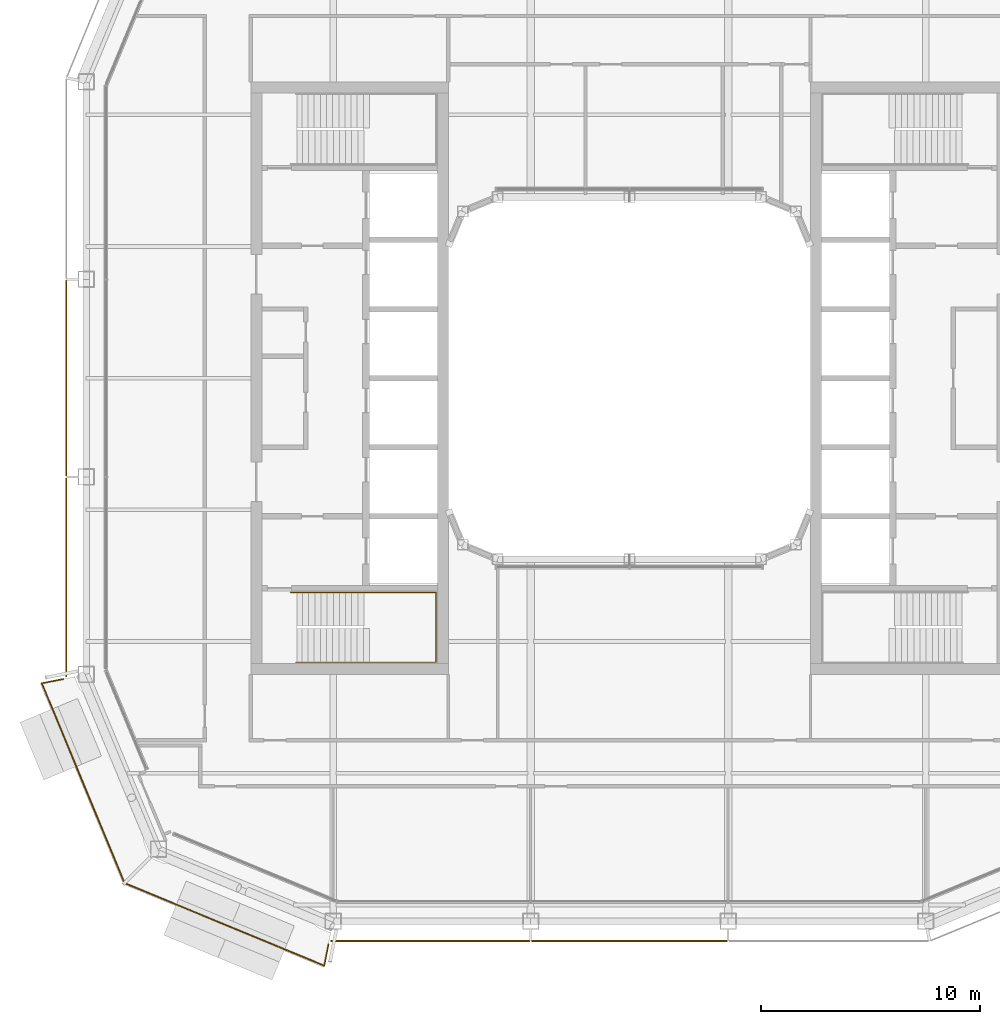
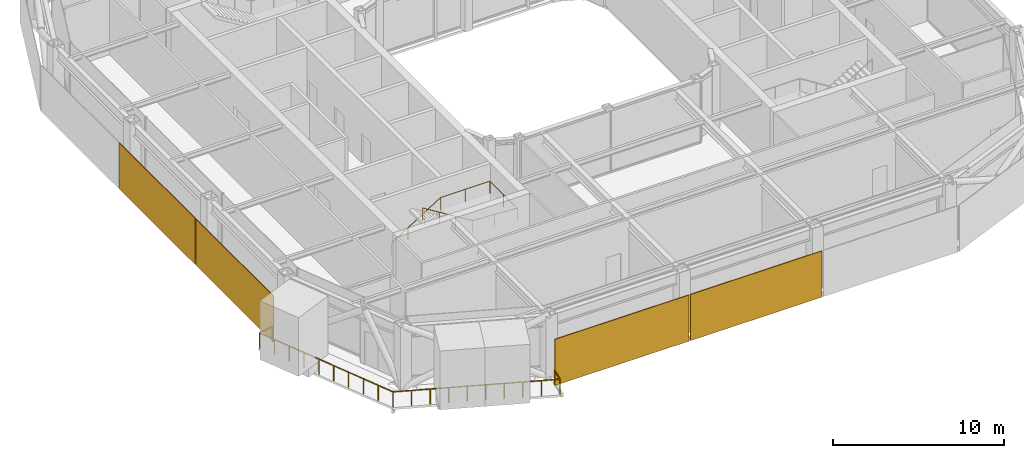
# One storey, part 16 of 20: 4 coverings, 2 railings.
"""IFC4 building model written with IfcOpenShell, lengths in metres."""

from ifc_helpers import new_model, si_unit, direction, frame, origin, origin_2d, place, context, subcontext, project, spatial, rectangle, circle, extrude, material, layer, layer_set, type_object, element, save


model = new_model("IFC4")

# Units and contexts
model_context = context("Model", 3, precision=1e-05, world=origin(), true_north=direction((0.0, 1.0)))
body_context = subcontext(model_context, "Body", "Model", "MODEL_VIEW")
ifc_project = project(units=[si_unit("LENGTHUNIT", "METRE"), si_unit("AREAUNIT", "SQUARE_METRE"), si_unit("VOLUMEUNIT", "CUBIC_METRE"), si_unit("PLANEANGLEUNIT", "RADIAN"), si_unit("MASSUNIT", "GRAM", prefix="KILO")], contexts=[model_context])

# Site, building, storey
site_placement = place(None, origin())
site = spatial("IfcSite", under=ifc_project, at=site_placement, CompositionType="ELEMENT")
building_placement = place(site_placement, origin())
building = spatial("IfcBuilding", under=site, at=building_placement, Name="Siwar Civic Tower", CompositionType="ELEMENT")
storey_placement = place(building_placement, frame((0.0, 0.0, 298.699951171875)))
storey = spatial("IfcBuildingStorey", under=building, at=storey_placement, Name="L64", CompositionType="ELEMENT", Elevation=298.699951171875)

# Railings
ifc_material_1 = material(Name="Stainless steel", Category="steel")
railing_type_1 = type_object("IfcRailingType", Name="CORE-STAIR-HANDRAIL", PredefinedType="HANDRAIL", material=ifc_material_1)
railing_1_placement = place(storey_placement, frame((-15.449951171875, -9.758056640625, 0.173095703125)))
element("IfcRailing", 1, at=railing_1_placement, inside=storey, type_object=railing_type_1, Name="Stair handrail ST2", PredefinedType="HANDRAIL", context=body_context, shape_type="SweptSolid", body=[
    extrude(circle(Radius=0.02001953125, at=origin_2d()), frame((0.0, 0.0, 0.8798828125), z_axis=(0.847063342986, 0.0, 0.531491950051), x_axis=(0.0, 1.0, 0.0)), (0.0, 0.0, 1.0), 3.90771484375),
    extrude(circle(Radius=0.02001953125, at=origin_2d()), frame((3.31005859375, 0.0, 2.956787109375), z_axis=(1.0, 0.0, 0.0), x_axis=(0.0, 1.0, 0.0)), (0.0, 0.0, 1.0), 3.331787109375),
    extrude(circle(Radius=0.02001953125, at=origin_2d()), frame((6.641845703125, 0.0, 2.956787109375), z_axis=(0.0, -1.0, 0.0), x_axis=(1.0, 0.0, 0.0)), (0.0, 0.0, 1.0), 3.183837890625),
    extrude(circle(Radius=0.02001953125, at=origin_2d()), frame((6.641845703125, -3.183837890625, 2.956787109375), z_axis=(-0.99837434197, 0.0, 0.056997134106), x_axis=(0.0, -1.0, 0.0)), (0.0, 0.0, 1.0), 3.036865234375),
    extrude(circle(Radius=0.02001953125, at=origin_2d()), frame((3.60986328125, -3.183837890625, 3.1298828125), z_axis=(-0.850606129759, 0.0, 0.525803396734), x_axis=(0.0, -1.0, 0.0)), (0.0, 0.0, 1.0), 3.949951171875),
    extrude(circle(Radius=0.02001953125, at=origin_2d()), origin(), (0.0, 0.0, 1.0), 0.85986328125),
    extrude(circle(Radius=0.02001953125, at=origin_2d()), frame((1.103271484375, 0.0, 0.6923828125)), (0.0, 0.0, 1.0), 0.85986328125),
    extrude(circle(Radius=0.02001953125, at=origin_2d()), frame((2.206787109375, 0.0, 1.384521484375)), (0.0, 0.0, 1.0), 0.85986328125),
    extrude(circle(Radius=0.02001953125, at=origin_2d()), frame((3.31005859375, 0.0, 2.076904296875)), (0.0, 0.0, 1.0), 0.85986328125),
    extrude(circle(Radius=0.02001953125, at=origin_2d()), frame((4.97607421875, 0.0, 2.076904296875)), (0.0, 0.0, 1.0), 0.85986328125),
    extrude(circle(Radius=0.02001953125, at=origin_2d()), frame((6.641845703125, 0.0, 2.076904296875)), (0.0, 0.0, 1.0), 0.85986328125),
    extrude(circle(Radius=0.02001953125, at=origin_2d()), frame((6.641845703125, -1.591796875, 2.076904296875)), (0.0, 0.0, 1.0), 0.85986328125),
    extrude(circle(Radius=0.02001953125, at=origin_2d()), frame((6.641845703125, -3.183837890625, 2.076904296875)), (0.0, 0.0, 1.0), 0.85986328125),
    extrude(circle(Radius=0.02001953125, at=origin_2d()), frame((5.1259765625, -3.183837890625, 2.16357421875)), (0.0, 0.0, 1.0), 0.85986328125),
    extrude(circle(Radius=0.02001953125, at=origin_2d()), frame((3.60986328125, -3.183837890625, 2.25)), (0.0, 0.0, 1.0), 0.85986328125),
    extrude(circle(Radius=0.02001953125, at=origin_2d()), frame((2.489990234375, -3.183837890625, 2.9423828125)), (0.0, 0.0, 1.0), 0.85986328125),
    extrude(circle(Radius=0.02001953125, at=origin_2d()), frame((1.369873046875, -3.183837890625, 3.634521484375)), (0.0, 0.0, 1.0), 0.85986328125),
    extrude(circle(Radius=0.02001953125, at=origin_2d()), frame((0.25, -3.183837890625, 4.326904296875)), (0.0, 0.0, 1.0), 0.85986328125),
])
ifc_material_2 = material(Name="Stainless steel 316", Category="steel")
railing_type_2 = type_object("IfcRailingType", Name="ENV-GUARD", PredefinedType="GUARDRAIL", material=ifc_material_2)
railing_2_placement = place(storey_placement, frame((-25.797119140625, -13.708251953125, 0.0)))
element("IfcRailing", 2, at=railing_2_placement, inside=storey, type_object=railing_type_2, Name="Balcony guard SW", PredefinedType="GUARDRAIL", context=body_context, shape_type="SweptSolid", body=[
    extrude(circle(Radius=0.02392578125, at=origin_2d()), frame((0.0, 0.0, 1.076171875), z_axis=(-0.980778661911, -0.195123592472, 0.0), x_axis=(0.195123592472, -0.980778661911, 0.0)), (0.0, 0.0, 1.0), 0.993408203125),
    extrude(circle(Radius=0.02392578125, at=origin_2d()), frame((-0.974365234375, -0.19384765625, 1.076171875), z_axis=(0.38225621169, -0.924056377406, 0.0), x_axis=(0.924056377406, 0.38225621169, 0.0)), (0.0, 0.0, 1.0), 9.851806640625),
    extrude(circle(Radius=0.02392578125, at=origin_2d()), frame((2.79150390625, -9.29736328125, 1.076171875), z_axis=(0.924056377406, -0.38225621169, 0.0), x_axis=(0.38225621169, 0.924056377406, 0.0)), (0.0, 0.0, 1.0), 9.851806640625),
    extrude(circle(Radius=0.02392578125, at=origin_2d()), frame((11.89501953125, -13.063232421875, 1.076171875), z_axis=(0.195123592472, 0.980778661911, 0.0), x_axis=(-0.980778661911, 0.195123592472, 0.0)), (0.0, 0.0, 1.0), 0.993408203125),
    extrude(circle(Radius=0.02099609375, at=origin_2d()), origin(), (0.0, 0.0, 1.0), 1.052001953125),
    extrude(circle(Radius=0.02099609375, at=origin_2d()), frame((-0.974365234375, -0.19384765625, 0.0)), (0.0, 0.0, 1.0), 1.052001953125),
    extrude(circle(Radius=0.02099609375, at=origin_2d()), frame((-0.555908203125, -1.205322265625, 0.0)), (0.0, 0.0, 1.0), 1.052001953125),
    extrude(circle(Radius=0.02099609375, at=origin_2d()), frame((-0.137451171875, -2.216796875, 0.0)), (0.0, 0.0, 1.0), 1.052001953125),
    extrude(circle(Radius=0.02099609375, at=origin_2d()), frame((0.281005859375, -3.228271484375, 0.0)), (0.0, 0.0, 1.0), 1.052001953125),
    extrude(circle(Radius=0.02099609375, at=origin_2d()), frame((0.699462890625, -4.23974609375, 0.0)), (0.0, 0.0, 1.0), 1.052001953125),
    extrude(circle(Radius=0.02099609375, at=origin_2d()), frame((1.11767578125, -5.25146484375, 0.0)), (0.0, 0.0, 1.0), 1.052001953125),
    extrude(circle(Radius=0.02099609375, at=origin_2d()), frame((1.5361328125, -6.262939453125, 0.0)), (0.0, 0.0, 1.0), 1.052001953125),
    extrude(circle(Radius=0.02099609375, at=origin_2d()), frame((1.95458984375, -7.2744140625, 0.0)), (0.0, 0.0, 1.0), 1.052001953125),
    extrude(circle(Radius=0.02099609375, at=origin_2d()), frame((2.373046875, -8.285888671875, 0.0)), (0.0, 0.0, 1.0), 1.052001953125),
    extrude(circle(Radius=0.02099609375, at=origin_2d()), frame((2.79150390625, -9.29736328125, 0.0)), (0.0, 0.0, 1.0), 1.052001953125),
    extrude(circle(Radius=0.02099609375, at=origin_2d()), frame((3.802978515625, -9.7158203125, 0.0)), (0.0, 0.0, 1.0), 1.052001953125),
    extrude(circle(Radius=0.02099609375, at=origin_2d()), frame((4.814453125, -10.13427734375, 0.0)), (0.0, 0.0, 1.0), 1.052001953125),
    extrude(circle(Radius=0.02099609375, at=origin_2d()), frame((5.825927734375, -10.552734375, 0.0)), (0.0, 0.0, 1.0), 1.052001953125),
    extrude(circle(Radius=0.02099609375, at=origin_2d()), frame((6.83740234375, -10.97119140625, 0.0)), (0.0, 0.0, 1.0), 1.052001953125),
    extrude(circle(Radius=0.02099609375, at=origin_2d()), frame((7.84912109375, -11.389404296875, 0.0)), (0.0, 0.0, 1.0), 1.052001953125),
    extrude(circle(Radius=0.02099609375, at=origin_2d()), frame((8.860595703125, -11.807861328125, 0.0)), (0.0, 0.0, 1.0), 1.052001953125),
    extrude(circle(Radius=0.02099609375, at=origin_2d()), frame((9.8720703125, -12.226318359375, 0.0)), (0.0, 0.0, 1.0), 1.052001953125),
    extrude(circle(Radius=0.02099609375, at=origin_2d()), frame((10.883544921875, -12.644775390625, 0.0)), (0.0, 0.0, 1.0), 1.052001953125),
    extrude(circle(Radius=0.02099609375, at=origin_2d()), frame((11.89501953125, -13.063232421875, 0.0)), (0.0, 0.0, 1.0), 1.052001953125),
    extrude(circle(Radius=0.02099609375, at=origin_2d()), frame((12.0888671875, -12.0888671875, 0.0)), (0.0, 0.0, 1.0), 1.052001953125),
])

# Coverings
ifc_material_3 = material(Name="Perforated aluminium cassette, pale metal", Category="aluminium")
ifc_layer_1 = layer(ifc_material_3, 0.050048828125)
ifc_layer_set_1 = layer_set([ifc_layer_1], Name="Perforated aluminium cassette, pale metal")
covering_type_1 = type_object("IfcCoveringType", Name="ENV-OUTER SKIN OS-3", PredefinedType="CLADDING", material=ifc_layer_set_1)
covering_1_placement = place(storey_placement, frame((-25.64990234375, 0.0, -0.14990234375), z_axis=(0.0, 0.0, 1.0), x_axis=(0.0, -1.0, 0.0)))
element("IfcCovering", 3, at=covering_1_placement, inside=storey, type_object=covering_type_1, Name="OUTER SKIN OS-3 W 2", PredefinedType="CLADDING", context=body_context, shape_type="SweptSolid", body=[
    extrude(rectangle(XDim=8.89990234375, YDim=0.050048828125, at=origin_2d()), origin(), (0.0, 0.0, 1.0), 3.300048828125),
])
covering_2_placement = place(storey_placement, frame((-25.64990234375, -9.07958984375, -0.14990234375), z_axis=(0.0, 0.0, 1.0), x_axis=(0.0, -1.0, 0.0)))
element("IfcCovering", 4, at=covering_2_placement, inside=storey, type_object=covering_type_1, Name="OUTER SKIN OS-3 W 3", PredefinedType="CLADDING", context=body_context, shape_type="SweptSolid", body=[
    extrude(rectangle(XDim=9.05908203125, YDim=0.050048828125, at=origin_2d()), origin(), (0.0, 0.0, 1.0), 3.300048828125),
])
ifc_material_4 = material(Name="Perforated aluminium cassette, pale metal", Category="aluminium")
ifc_layer_2 = layer(ifc_material_4, 0.054931640625)
ifc_layer_set_2 = layer_set([ifc_layer_2], Name="Perforated aluminium cassette, pale metal")
covering_type_2 = type_object("IfcCoveringType", Name="ENV-OUTER SKIN OS-4", PredefinedType="CLADDING", material=ifc_layer_set_2)
covering_3_placement = place(storey_placement, frame((-9.07958984375, -25.64990234375, -0.14990234375), z_axis=(0.0, 0.0, 1.0), x_axis=(1.0, 0.0, 0.0)))
element("IfcCovering", 5, at=covering_3_placement, inside=storey, type_object=covering_type_2, Name="OUTER SKIN OS-4 S 1", PredefinedType="CLADDING", context=body_context, shape_type="SweptSolid", body=[
    extrude(rectangle(XDim=9.05908203125, YDim=0.054931640625, at=origin_2d()), origin(), (0.0, 0.0, 1.0), 3.300048828125),
])
covering_4_placement = place(storey_placement, frame((0.0, -25.64990234375, -0.14990234375), z_axis=(0.0, 0.0, 1.0), x_axis=(1.0, 0.0, 0.0)))
element("IfcCovering", 6, at=covering_4_placement, inside=storey, type_object=covering_type_2, Name="OUTER SKIN OS-4 S 2", PredefinedType="CLADDING", context=body_context, shape_type="SweptSolid", body=[
    extrude(rectangle(XDim=8.89990234375, YDim=0.054931640625, at=origin_2d()), origin(), (0.0, 0.0, 1.0), 3.300048828125),
])

save(model, "model.ifc")
